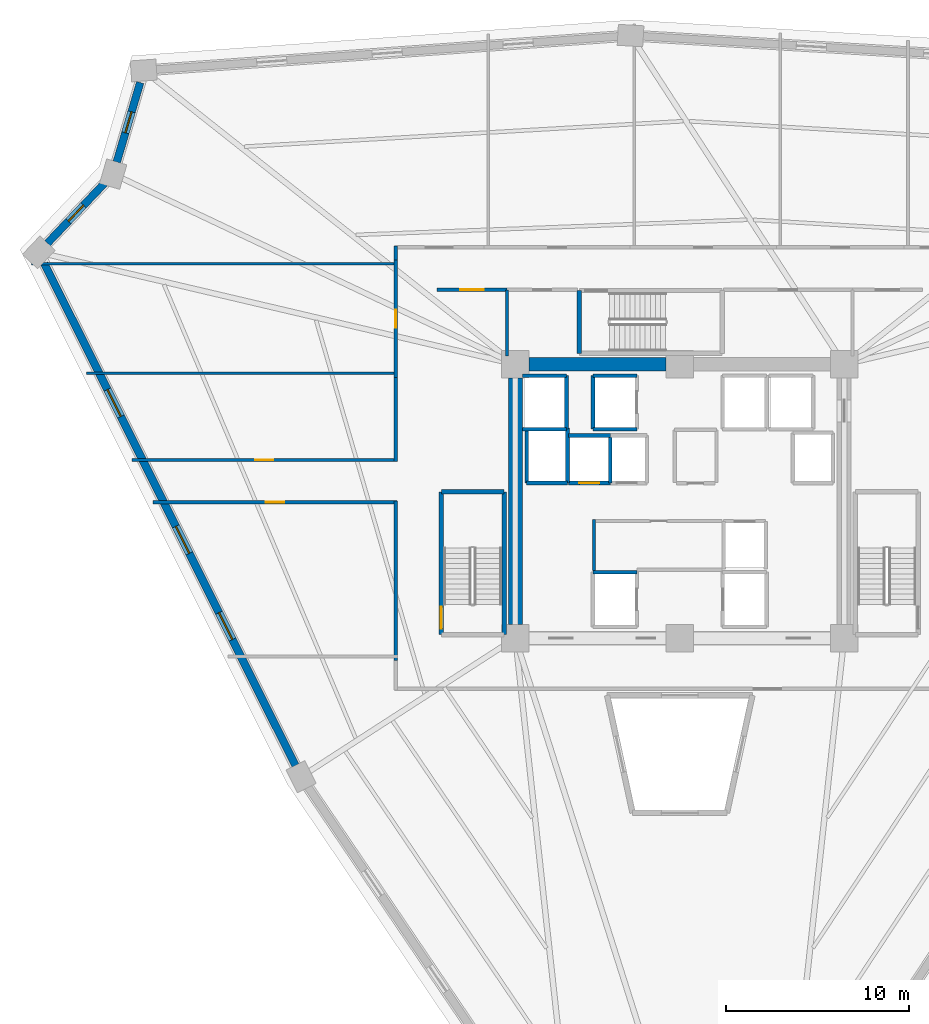
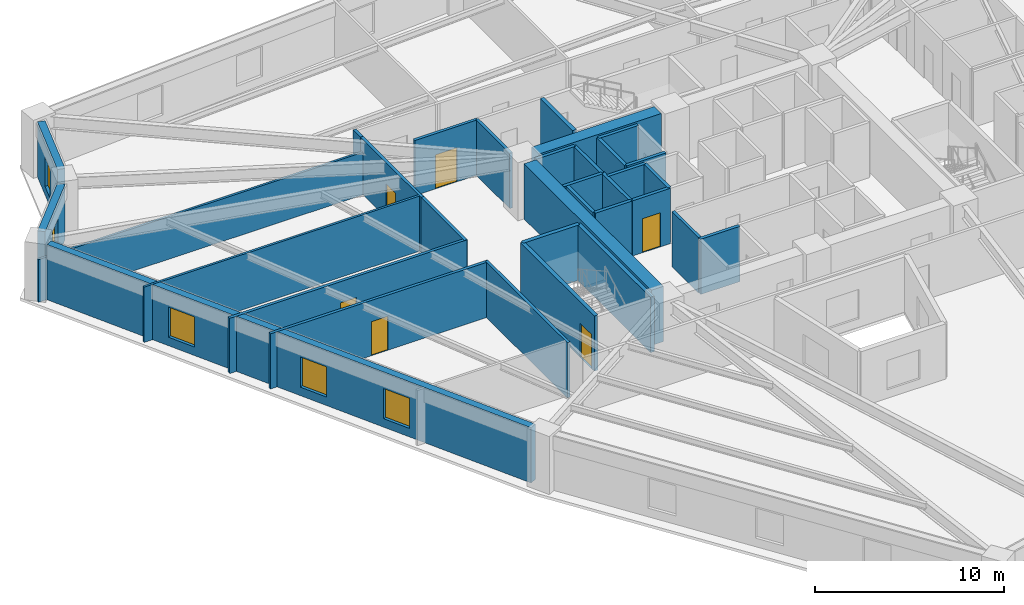
# One storey, part 4 of 8: 33 walls, 6 doors, 5 windows, 11 openings.
"""IFC4 building model written with IfcOpenShell, lengths in metres."""

from ifc_helpers import new_model, si_unit, direction, frame, frame_2d, origin, place, context, subcontext, project, spatial, rectangle, extrude, source, transform, mapped, material, layer, layer_set, type_object, element, fill, save


model = new_model("IFC4")

# Units and contexts
model_context = context("Model", 3, precision=1e-05, world=origin(), true_north=direction((0.0, 1.0)))
body_context = subcontext(model_context, "Body", "Model", "MODEL_VIEW")
ifc_project = project(units=[si_unit("LENGTHUNIT", "METRE"), si_unit("AREAUNIT", "SQUARE_METRE"), si_unit("VOLUMEUNIT", "CUBIC_METRE"), si_unit("PLANEANGLEUNIT", "RADIAN"), si_unit("MASSUNIT", "GRAM", prefix="KILO")], contexts=[model_context])

# Site, building, storey
site_placement = place(None, origin())
site = spatial("IfcSite", under=ifc_project, at=site_placement, CompositionType="ELEMENT")
building_placement = place(site_placement, origin())
building = spatial("IfcBuilding", under=site, at=building_placement, Name="Liaohun Quay Tower", CompositionType="ELEMENT")
storey_placement = place(building_placement, frame((0.0, 0.0, 155.25)))
storey = spatial("IfcBuildingStorey", under=building, at=storey_placement, Name="L40", CompositionType="ELEMENT", Elevation=155.25)

# Walls
ifc_material_1 = material(Name="Concrete C60", Category="concrete")
ifc_layer_1 = layer(ifc_material_1, 0.75, Name="Concrete C60", Category="concrete")
ifc_layer_set_1 = layer_set([ifc_layer_1], Name="Concrete C60")
wall_type_1 = type_object("IfcWallType", Name="WAL-COR-Z2", PredefinedType="SHEAR", material=ifc_layer_set_1)
wall_1_placement = place(storey_placement, frame((51.75, 61.5, 0.0), z_axis=(0.0, 0.0, 1.0), x_axis=(1.0, 0.0, 0.0)))
element("IfcWall", 1, at=wall_1_placement, inside=storey, type_object=wall_type_1, Name="L40 Central Core Shear Wall N-W", PredefinedType="SHEAR", context=body_context, shape_type="SweptSolid", body=[
    extrude(rectangle(XDim=7.5, YDim=0.75, at=frame_2d((3.75, 0.0))), origin(), (0.0, 0.0, 1.0), 3.570068359375),
])
wall_2_placement = place(storey_placement, frame((51.0, 47.25, 0.0), z_axis=(0.0, 0.0, 1.0), x_axis=(0.0, 1.0, 0.0)))
element("IfcWall", 2, at=wall_2_placement, inside=storey, type_object=wall_type_1, Name="L40 Central Core Shear Wall W", PredefinedType="SHEAR", context=body_context, shape_type="SweptSolid", body=[
    extrude(rectangle(XDim=13.5, YDim=0.75, at=frame_2d((6.75, 0.0))), origin(), (0.0, 0.0, 1.0), 3.570068359375),
])

# Wall, opening, window
ifc_material_2 = material(Name="Precast concrete C50 insulated sandwich", Category="concrete")
ifc_layer_2 = layer(ifc_material_2, 0.419921875, Name="Precast concrete C50 insulated sandwich", Category="concrete")
ifc_layer_set_2 = layer_set([ifc_layer_2], Name="Precast concrete C50 insulated sandwich")
wall_type_2 = type_object("IfcWallType", Name="WAL-EXT-Z12", PredefinedType="SOLIDWALL", material=ifc_layer_set_2)
wall_3_placement = place(storey_placement, frame((30.449951171875, 76.929931640625, 0.0), z_axis=(0.0, 0.0, 1.0), x_axis=(-0.282903082649, -0.959148500404, 0.0)))
wall_3 = element("IfcWall", 3, at=wall_3_placement, inside=storey, type_object=wall_type_2, Name="L40 Brutalist Precast Pier Wall 08", PredefinedType="SOLIDWALL", context=body_context, shape_type="SweptSolid", body=[
    extrude(rectangle(XDim=4.538330078125, YDim=0.419921875, at=frame_2d((2.26904296875, 0.0))), origin(), (0.0, 0.0, 1.0), 3.570068359375),
])
shared_shape_1 = source(origin(), body_context, "Body", "SweptSolid", [
    extrude(rectangle(XDim=1.199951171875, YDim=1.89990234375, at=frame_2d((0.60009765625, 0.949951171875))), frame((0.0, 0.219970703125, 0.0), z_axis=(0.0, -1.0, 0.0), x_axis=(1.0, 0.0, 0.0)), (0.0, 0.0, 1.0), 0.43994140625),
])
opening_1_placement = place(wall_3_placement, frame((1.6689453125, 0.0, 0.550048828125)))
opening_1 = element("IfcOpeningElement", 4, at=opening_1_placement, cuts=wall_3, Name="Opening W05", PredefinedType="OPENING", context=body_context, shape_type="MappedRepresentation", body=[
    mapped(shared_shape_1, transform((0.0, 0.0, 0.0), x_axis=(1.0, 0.0, 0.0), y_axis=(0.0, 1.0, 0.0), z_axis=(0.0, 0.0, 1.0), scale=1.0)),
])
ifc_material_3 = material(Name="Triple Low-E corner notch glazing", Category="glass")
window_type_1 = type_object("IfcWindowType", Name="WIN-NOTCH", PartitioningType="SINGLE_PANEL", PredefinedType="WINDOW", material=ifc_material_3)
shared_shape_2 = source(origin(), body_context, "Body", "SweptSolid", [
    extrude(rectangle(XDim=1.199951171875, YDim=1.89990234375, at=frame_2d((0.60009765625, 0.949951171875))), frame((0.0, 0.030029296875, 0.0), z_axis=(0.0, -1.0, 0.0), x_axis=(1.0, 0.0, 0.0)), (0.0, 0.0, 1.0), 0.06005859375),
])
window_1_placement = place(opening_1_placement, origin())
window_1 = element("IfcWindow", 5, at=window_1_placement, inside=storey, type_object=window_type_1, Name="L40 Corner Notch Window W05-08", OverallHeight=1.89990234375, OverallWidth=1.199951171875, PartitioningType="SINGLE_PANEL", PredefinedType="WINDOW", context=body_context, shape_type="MappedRepresentation", body=[
    mapped(shared_shape_2, transform((0.0, 0.0, 0.0), x_axis=(1.0, 0.0, 0.0), y_axis=(0.0, 1.0, 0.0), z_axis=(0.0, 0.0, 1.0), scale=1.0)),
])
fill(opening_1, window_1)

wall_4_placement = place(storey_placement, frame((28.4951171875, 71.4150390625, 0.0), z_axis=(0.0, 0.0, 1.0), x_axis=(-0.68924618139, -0.724527226155, 0.0)))
wall_4 = element("IfcWall", 6, at=wall_4_placement, inside=storey, type_object=wall_type_2, Name="L40 Brutalist Precast Pier Wall 09", PredefinedType="SOLIDWALL", context=body_context, shape_type="SweptSolid", body=[
    extrude(rectangle(XDim=4.532470703125, YDim=0.419921875, at=frame_2d((2.26611328125, 0.0))), origin(), (0.0, 0.0, 1.0), 3.570068359375),
])
opening_2_placement = place(wall_4_placement, frame((1.666015625, 0.0, 0.550048828125)))
opening_2 = element("IfcOpeningElement", 7, at=opening_2_placement, cuts=wall_4, Name="Opening W05", PredefinedType="OPENING", context=body_context, shape_type="MappedRepresentation", body=[
    mapped(shared_shape_1, transform((0.0, 0.0, 0.0), x_axis=(1.0, 0.0, 0.0), y_axis=(0.0, 1.0, 0.0), z_axis=(0.0, 0.0, 1.0), scale=1.0)),
])
window_2_placement = place(opening_2_placement, origin())
window_2 = element("IfcWindow", 8, at=window_2_placement, inside=storey, type_object=window_type_1, Name="L40 Corner Notch Window W05-09", OverallHeight=1.89990234375, OverallWidth=1.199951171875, PartitioningType="SINGLE_PANEL", PredefinedType="WINDOW", context=body_context, shape_type="MappedRepresentation", body=[
    mapped(shared_shape_2, transform((0.0, 0.0, 0.0), x_axis=(1.0, 0.0, 0.0), y_axis=(0.0, 1.0, 0.0), z_axis=(0.0, 0.0, 1.0), scale=1.0)),
])
fill(opening_2, window_2)

# Wall, openings, windows
wall_5_placement = place(storey_placement, frame((25.2041015625, 67.013916015625, 0.0), z_axis=(0.0, 0.0, 1.0), x_axis=(0.447340705753, -0.894363624583, 0.0)))
wall_5 = element("IfcWall", 9, at=wall_5_placement, inside=storey, type_object=wall_type_2, Name="L40 Brutalist Precast Pier Wall 10", PredefinedType="SOLIDWALL", context=body_context, shape_type="SweptSolid", body=[
    extrude(rectangle(XDim=30.730224609375, YDim=0.419921875, at=frame_2d((15.365234375, 0.0))), origin(), (0.0, 0.0, 1.0), 3.570068359375),
])
shared_shape_3 = source(origin(), body_context, "Body", "SweptSolid", [
    extrude(rectangle(XDim=1.64990234375, YDim=1.949951171875, at=frame_2d((0.824951171875, 0.97509765625))), frame((0.0, 0.219970703125, 0.0), z_axis=(0.0, -1.0, 0.0), x_axis=(1.0, 0.0, 0.0)), (0.0, 0.0, 1.0), 0.43994140625),
])
opening_3_placement = place(wall_5_placement, frame((7.7080078125, 0.0, 0.550048828125)))
opening_3 = element("IfcOpeningElement", 10, at=opening_3_placement, cuts=wall_5, Name="Opening W02", PredefinedType="OPENING", context=body_context, shape_type="MappedRepresentation", body=[
    mapped(shared_shape_3, transform((0.0, 0.0, 0.0), x_axis=(1.0, 0.0, 0.0), y_axis=(0.0, 1.0, 0.0), z_axis=(0.0, 0.0, 1.0), scale=1.0)),
])
opening_4_placement = place(wall_5_placement, frame((16.090087890625, 0.0, 0.550048828125)))
opening_4 = element("IfcOpeningElement", 11, at=opening_4_placement, cuts=wall_5, Name="Opening W02", PredefinedType="OPENING", context=body_context, shape_type="MappedRepresentation", body=[
    mapped(shared_shape_3, transform((0.0, 0.0, 0.0), x_axis=(1.0, 0.0, 0.0), y_axis=(0.0, 1.0, 0.0), z_axis=(0.0, 0.0, 1.0), scale=1.0)),
])
opening_5_placement = place(wall_5_placement, frame((21.373046875, 0.0, 0.550048828125)))
opening_5 = element("IfcOpeningElement", 12, at=opening_5_placement, cuts=wall_5, Name="Opening W02", PredefinedType="OPENING", context=body_context, shape_type="MappedRepresentation", body=[
    mapped(shared_shape_3, transform((0.0, 0.0, 0.0), x_axis=(1.0, 0.0, 0.0), y_axis=(0.0, 1.0, 0.0), z_axis=(0.0, 0.0, 1.0), scale=1.0)),
])
ifc_material_4 = material(Name="Triple Low-E argon glazing in thermally broken aluminium", Category="aluminium")
window_type_2 = type_object("IfcWindowType", Name="WIN-PUN-Z2", PartitioningType="DOUBLE_PANEL_VERTICAL", PredefinedType="WINDOW", material=ifc_material_4)
shared_shape_4 = source(origin(), body_context, "Body", "SweptSolid", [
    extrude(rectangle(XDim=1.64990234375, YDim=1.949951171875, at=frame_2d((0.824951171875, 0.97509765625))), frame((0.0, 0.030029296875, 0.0), z_axis=(0.0, -1.0, 0.0), x_axis=(1.0, 0.0, 0.0)), (0.0, 0.0, 1.0), 0.06005859375),
])
window_3_placement = place(opening_3_placement, origin())
window_3 = element("IfcWindow", 13, at=window_3_placement, inside=storey, type_object=window_type_2, Name="L40 Recessed Cold-Climate Punched Window 10-1", OverallHeight=1.949951171875, OverallWidth=1.64990234375, PartitioningType="DOUBLE_PANEL_VERTICAL", PredefinedType="WINDOW", context=body_context, shape_type="MappedRepresentation", body=[
    mapped(shared_shape_4, transform((0.0, 0.0, 0.0), x_axis=(1.0, 0.0, 0.0), y_axis=(0.0, 1.0, 0.0), z_axis=(0.0, 0.0, 1.0), scale=1.0)),
])
fill(opening_3, window_3)
window_4_placement = place(opening_4_placement, origin())
window_4 = element("IfcWindow", 14, at=window_4_placement, inside=storey, type_object=window_type_2, Name="L40 Recessed Cold-Climate Punched Window 10-2", OverallHeight=1.949951171875, OverallWidth=1.64990234375, PartitioningType="DOUBLE_PANEL_VERTICAL", PredefinedType="WINDOW", context=body_context, shape_type="MappedRepresentation", body=[
    mapped(shared_shape_4, transform((0.0, 0.0, 0.0), x_axis=(1.0, 0.0, 0.0), y_axis=(0.0, 1.0, 0.0), z_axis=(0.0, 0.0, 1.0), scale=1.0)),
])
fill(opening_4, window_4)
window_5_placement = place(opening_5_placement, origin())
window_5 = element("IfcWindow", 15, at=window_5_placement, inside=storey, type_object=window_type_2, Name="L40 Recessed Cold-Climate Punched Window 10-3", OverallHeight=1.949951171875, OverallWidth=1.64990234375, PartitioningType="DOUBLE_PANEL_VERTICAL", PredefinedType="WINDOW", context=body_context, shape_type="MappedRepresentation", body=[
    mapped(shared_shape_4, transform((0.0, 0.0, 0.0), x_axis=(1.0, 0.0, 0.0), y_axis=(0.0, 1.0, 0.0), z_axis=(0.0, 0.0, 1.0), scale=1.0)),
])
fill(opening_5, window_5)

# Wall, opening, door
ifc_material_5 = material(Name="Autoclaved aerated concrete blockwork", Category="masonry")
ifc_layer_3 = layer(ifc_material_5, 0.179931640625, Name="Autoclaved aerated concrete blockwork", Category="masonry")
ifc_layer_set_3 = layer_set([ifc_layer_3], Name="Autoclaved aerated concrete blockwork")
wall_type_3 = type_object("IfcWallType", Name="WAL-PRT-COR", PredefinedType="PARTITIONING", material=ifc_layer_set_3)
wall_6_placement = place(storey_placement, frame((46.699951171875, 65.580078125, 0.0), z_axis=(0.0, 0.0, 1.0), x_axis=(1.0, 0.0, 0.0)))
wall_6 = element("IfcWall", 16, at=wall_6_placement, inside=storey, type_object=wall_type_3, Name="L40 Interior Partition Wall 008", PredefinedType="PARTITIONING", context=body_context, shape_type="SweptSolid", body=[
    extrude(rectangle(XDim=3.840087890625, YDim=0.179931640625, at=frame_2d((1.919921875, 0.0))), origin(), (0.0, 0.0, 1.0), 3.570068359375),
])
shared_shape_5 = source(origin(), body_context, "Body", "SweptSolid", [
    extrude(rectangle(XDim=1.300048828125, YDim=2.199951171875, at=frame_2d((0.64990234375, 1.10009765625))), frame((0.0, 0.099853515625, 0.0), z_axis=(0.0, -1.0, 0.0), x_axis=(1.0, 0.0, 0.0)), (0.0, 0.0, 1.0), 0.199951171875),
])
opening_6_placement = place(wall_6_placement, frame((1.27001953125, 0.0, 0.0)))
opening_6 = element("IfcOpeningElement", 17, at=opening_6_placement, cuts=wall_6, Name="Opening FD1", PredefinedType="OPENING", context=body_context, shape_type="MappedRepresentation", body=[
    mapped(shared_shape_5, transform((0.0, 0.0, 0.0), x_axis=(1.0, 0.0, 0.0), y_axis=(0.0, 1.0, 0.0), z_axis=(0.0, 0.0, 1.0), scale=1.0)),
])
ifc_material_6 = material(Name="Galvanised steel smokeproof fire door", Category="steel")
door_type_1 = type_object("IfcDoorType", Name="DOR-FFL-1300", OperationType="NOTDEFINED", PredefinedType="DOOR", material=ifc_material_6)
shared_shape_6 = source(origin(), body_context, "Body", "SweptSolid", [
    extrude(rectangle(XDim=1.300048828125, YDim=2.199951171875, at=frame_2d((0.64990234375, 1.10009765625))), frame((0.0, 0.02490234375, 0.0), z_axis=(0.0, -1.0, 0.0), x_axis=(1.0, 0.0, 0.0)), (0.0, 0.0, 1.0), 0.050048828125),
])
door_1_placement = place(opening_6_placement, origin())
door_1 = element("IfcDoor", 18, at=door_1_placement, inside=storey, type_object=door_type_1, Name="L40 West Core Vestibule Door", OperationType="SINGLE_SWING_RIGHT", OverallHeight=2.199951171875, OverallWidth=1.300048828125, PredefinedType="DOOR", context=body_context, shape_type="MappedRepresentation", body=[
    mapped(shared_shape_6, transform((0.0, 0.0, 0.0), x_axis=(1.0, 0.0, 0.0), y_axis=(0.0, 1.0, 0.0), z_axis=(0.0, 0.0, 1.0), scale=1.0)),
])
fill(opening_6, door_1)

wall_7_placement = place(storey_placement, frame((44.43994140625, 60.784912109375, 0.0), z_axis=(0.0, 0.0, 1.0), x_axis=(0.0, 1.0, 0.0)))
wall_7 = element("IfcWall", 19, at=wall_7_placement, inside=storey, type_object=wall_type_3, Name="L40 Interior Partition Wall 016", PredefinedType="PARTITIONING", context=body_context, shape_type="SweptSolid", body=[
    extrude(rectangle(XDim=6.43017578125, YDim=0.179931640625, at=frame_2d((3.215087890625, 0.0))), origin(), (0.0, 0.0, 1.0), 3.570068359375),
])
shared_shape_7 = source(origin(), body_context, "Body", "SweptSolid", [
    extrude(rectangle(XDim=1.0, YDim=2.199951171875, at=frame_2d((0.5, 1.10009765625))), frame((0.0, 0.099853515625, 0.0), z_axis=(0.0, -1.0, 0.0), x_axis=(1.0, 0.0, 0.0)), (0.0, 0.0, 1.0), 0.199951171875),
])
opening_7_placement = place(wall_7_placement, frame((2.715087890625, 0.0, 0.0)))
opening_7 = element("IfcOpeningElement", 20, at=opening_7_placement, cuts=wall_7, Name="Opening OD1", PredefinedType="OPENING", context=body_context, shape_type="MappedRepresentation", body=[
    mapped(shared_shape_7, transform((0.0, 0.0, 0.0), x_axis=(1.0, 0.0, 0.0), y_axis=(0.0, 1.0, 0.0), z_axis=(0.0, 0.0, 1.0), scale=1.0)),
])
ifc_material_7 = material(Name="Solid-core oak veneer timber leaf in steel frame", Category="steel")
door_type_2 = type_object("IfcDoorType", Name="DOR-OFF-1000", OperationType="NOTDEFINED", PredefinedType="DOOR", material=ifc_material_7)
shared_shape_8 = source(origin(), body_context, "Body", "SweptSolid", [
    extrude(rectangle(XDim=1.0, YDim=2.199951171875, at=frame_2d((0.5, 1.10009765625))), frame((0.0, 0.02490234375, 0.0), z_axis=(0.0, -1.0, 0.0), x_axis=(1.0, 0.0, 0.0)), (0.0, 0.0, 1.0), 0.050048828125),
])
door_2_placement = place(opening_7_placement, origin())
door_2 = element("IfcDoor", 21, at=door_2_placement, inside=storey, type_object=door_type_2, Name="L40 Technical Reference Library 07 Door", OperationType="SINGLE_SWING_RIGHT", OverallHeight=2.199951171875, OverallWidth=1.0, PredefinedType="DOOR", context=body_context, shape_type="MappedRepresentation", body=[
    mapped(shared_shape_8, transform((0.0, 0.0, 0.0), x_axis=(1.0, 0.0, 0.0), y_axis=(0.0, 1.0, 0.0), z_axis=(0.0, 0.0, 1.0), scale=1.0)),
])
fill(opening_7, door_2)

wall_8_placement = place(storey_placement, frame((29.988037109375, 56.260009765625, 0.0), z_axis=(0.0, 0.0, 1.0), x_axis=(1.0, 0.0, 0.0)))
wall_8 = element("IfcWall", 22, at=wall_8_placement, inside=storey, type_object=wall_type_3, Name="L40 Interior Partition Wall 017", PredefinedType="PARTITIONING", context=body_context, shape_type="SweptSolid", body=[
    extrude(rectangle(XDim=14.52197265625, YDim=0.179931640625, at=frame_2d((7.260986328125, 0.0))), origin(), (0.0, 0.0, 1.0), 3.570068359375),
])
opening_8_placement = place(wall_8_placement, frame((6.760986328125, 0.0, 0.0)))
opening_8 = element("IfcOpeningElement", 23, at=opening_8_placement, cuts=wall_8, Name="Opening OD1", PredefinedType="OPENING", context=body_context, shape_type="MappedRepresentation", body=[
    mapped(shared_shape_7, transform((0.0, 0.0, 0.0), x_axis=(1.0, 0.0, 0.0), y_axis=(0.0, 1.0, 0.0), z_axis=(0.0, 0.0, 1.0), scale=1.0)),
])
door_3_placement = place(opening_8_placement, origin())
door_3 = element("IfcDoor", 24, at=door_3_placement, inside=storey, type_object=door_type_2, Name="L40 Client Collaboration Lounge 08 Door", OperationType="SINGLE_SWING_LEFT", OverallHeight=2.199951171875, OverallWidth=1.0, PredefinedType="DOOR", context=body_context, shape_type="MappedRepresentation", body=[
    mapped(shared_shape_8, transform((0.0, 0.0, 0.0), x_axis=(1.0, 0.0, 0.0), y_axis=(0.0, 1.0, 0.0), z_axis=(0.0, 0.0, 1.0), scale=1.0)),
])
fill(opening_8, door_3)

wall_9_placement = place(storey_placement, frame((44.510009765625, 53.93994140625, 0.0), z_axis=(0.0, 0.0, 1.0), x_axis=(-1.0, 0.0, 0.0)))
wall_9 = element("IfcWall", 25, at=wall_9_placement, inside=storey, type_object=wall_type_3, Name="L40 Interior Partition Wall 018", PredefinedType="PARTITIONING", context=body_context, shape_type="SweptSolid", body=[
    extrude(rectangle(XDim=13.362060546875, YDim=0.179931640625, at=frame_2d((6.68115234375, 0.0))), origin(), (0.0, 0.0, 1.0), 3.570068359375),
])
opening_9_placement = place(wall_9_placement, frame((6.180908203125, 0.0, 0.0)))
opening_9 = element("IfcOpeningElement", 26, at=opening_9_placement, cuts=wall_9, Name="Opening OD1", PredefinedType="OPENING", context=body_context, shape_type="MappedRepresentation", body=[
    mapped(shared_shape_7, transform((0.0, 0.0, 0.0), x_axis=(1.0, 0.0, 0.0), y_axis=(0.0, 1.0, 0.0), z_axis=(0.0, 0.0, 1.0), scale=1.0)),
])
door_4_placement = place(opening_9_placement, origin())
door_4 = element("IfcDoor", 27, at=door_4_placement, inside=storey, type_object=door_type_2, Name="L40 Records Archive Store 09 Door", OperationType="SINGLE_SWING_RIGHT", OverallHeight=2.199951171875, OverallWidth=1.0, PredefinedType="DOOR", context=body_context, shape_type="MappedRepresentation", body=[
    mapped(shared_shape_8, transform((0.0, 0.0, 0.0), x_axis=(1.0, 0.0, 0.0), y_axis=(0.0, 1.0, 0.0), z_axis=(0.0, 0.0, 1.0), scale=1.0)),
])
fill(opening_9, door_4)

# Walls
wall_10_placement = place(storey_placement, frame((50.5400390625, 61.949951171875, 0.0), z_axis=(0.0, 0.0, 1.0), x_axis=(0.0, 1.0, 0.0)))
element("IfcWall", 28, at=wall_10_placement, inside=storey, type_object=wall_type_3, Name="L40 Interior Partition Wall 030", PredefinedType="PARTITIONING", context=body_context, shape_type="SweptSolid", body=[
    extrude(rectangle(XDim=3.630126953125, YDim=0.179931640625, at=frame_2d((1.81494140625, 0.0))), origin(), (0.0, 0.0, 1.0), 3.570068359375),
])
wall_11_placement = place(storey_placement, frame((44.43994140625, 67.215087890625, 0.0), z_axis=(0.0, 0.0, 1.0), x_axis=(0.0, 1.0, 0.0)))
element("IfcWall", 29, at=wall_11_placement, inside=storey, type_object=wall_type_3, Name="L40 Interior Partition Wall 034", PredefinedType="PARTITIONING", context=body_context, shape_type="SweptSolid", body=[
    extrude(rectangle(XDim=0.764892578125, YDim=0.179931640625, at=frame_2d((0.38232421875, 0.0))), origin(), (0.0, 0.0, 1.0), 3.570068359375),
])
wall_12_placement = place(storey_placement, frame((44.43994140625, 56.18994140625, 0.0), z_axis=(0.0, 0.0, 1.0), x_axis=(0.0, 1.0, 0.0)))
element("IfcWall", 30, at=wall_12_placement, inside=storey, type_object=wall_type_3, Name="L40 Interior Partition Wall 035", PredefinedType="PARTITIONING", context=body_context, shape_type="SweptSolid", body=[
    extrude(rectangle(XDim=4.594970703125, YDim=0.179931640625, at=frame_2d((2.29736328125, 0.0))), origin(), (0.0, 0.0, 1.0), 3.570068359375),
])
wall_13_placement = place(storey_placement, frame((44.43994140625, 45.284912109375, 0.0), z_axis=(0.0, 0.0, 1.0), x_axis=(0.0, 1.0, 0.0)))
element("IfcWall", 31, at=wall_13_placement, inside=storey, type_object=wall_type_3, Name="L40 Interior Partition Wall 036", PredefinedType="PARTITIONING", context=body_context, shape_type="SweptSolid", body=[
    extrude(rectangle(XDim=8.72509765625, YDim=0.179931640625, at=frame_2d((4.362548828125, 0.0))), origin(), (0.0, 0.0, 1.0), 3.570068359375),
])
wall_14_placement = place(storey_placement, frame((55.300048828125, 50.219970703125, 0.0), z_axis=(0.0, 0.0, 1.0), x_axis=(0.0, 1.0, 0.0)))
element("IfcWall", 32, at=wall_14_placement, inside=storey, type_object=wall_type_3, Name="L40 Interior Partition Wall 050", PredefinedType="PARTITIONING", context=body_context, shape_type="SweptSolid", body=[
    extrude(rectangle(XDim=2.7900390625, YDim=0.179931640625, at=frame_2d((1.39501953125, 0.0))), origin(), (0.0, 0.0, 1.0), 3.570068359375),
])
ifc_material_8 = material(Name="Gypsum board on twin steel studs", Category="steel")
ifc_layer_4 = layer(ifc_material_8, 0.139892578125, Name="Gypsum board on twin steel studs", Category="steel")
ifc_layer_set_4 = layer_set([ifc_layer_4], Name="Gypsum board on twin steel studs")
wall_type_4 = type_object("IfcWallType", Name="WAL-PRT-OFF", PredefinedType="PARTITIONING", material=ifc_layer_set_4)
wall_15_placement = place(storey_placement, frame((44.5400390625, 61.0, 0.0), z_axis=(0.0, 0.0, 1.0), x_axis=(-1.0, 0.0, 0.0)))
element("IfcWall", 33, at=wall_15_placement, inside=storey, type_object=wall_type_4, Name="L40 Interior Partition Wall 041", PredefinedType="PARTITIONING", context=body_context, shape_type="SweptSolid", body=[
    extrude(rectangle(XDim=17.031982421875, YDim=0.139892578125, at=frame_2d((8.51611328125, 0.0))), origin(), (0.0, 0.0, 1.0), 3.570068359375),
])
wall_16_placement = place(storey_placement, frame((44.5400390625, 67.0, 0.0), z_axis=(0.0, 0.0, 1.0), x_axis=(-1.0, 0.0, 0.0)))
element("IfcWall", 34, at=wall_16_placement, inside=storey, type_object=wall_type_4, Name="L40 Interior Partition Wall 042", PredefinedType="PARTITIONING", context=body_context, shape_type="SweptSolid", body=[
    extrude(rectangle(XDim=20.032958984375, YDim=0.139892578125, at=frame_2d((10.0166015625, 0.0))), origin(), (0.0, 0.0, 1.0), 2.7548828125),
])
ifc_material_9 = material(Name="Concrete C50", Category="concrete")
ifc_layer_5 = layer(ifc_material_9, 0.239990234375, Name="Concrete C50", Category="concrete")
ifc_layer_set_5 = layer_set([ifc_layer_5], Name="Concrete C50")
wall_type_5 = type_object("IfcWallType", Name="WAL-SHF-200", PredefinedType="SOLIDWALL", material=ifc_layer_set_5)
wall_17_placement = place(storey_placement, frame((50.3798828125, 46.699951171875, 0.0), z_axis=(0.0, 0.0, 1.0), x_axis=(0.0, 1.0, 0.0)))
element("IfcWall", 35, at=wall_17_placement, inside=storey, type_object=wall_type_5, Name="L40 Stairwell ST-1 Structural Core Wall E", PredefinedType="SOLIDWALL", context=body_context, shape_type="SweptSolid", body=[
    extrude(rectangle(XDim=7.820068359375, YDim=0.239990234375, at=frame_2d((3.91015625, 0.0))), origin(), (0.0, 0.0, 1.0), 3.570068359375),
])
wall_18_placement = place(storey_placement, frame((50.3798828125, 54.52001953125, 0.0), z_axis=(0.0, 0.0, 1.0), x_axis=(-1.0, 0.0, 0.0)))
element("IfcWall", 36, at=wall_18_placement, inside=storey, type_object=wall_type_5, Name="L40 Stairwell ST-1 Structural Core Wall N", PredefinedType="SOLIDWALL", context=body_context, shape_type="SweptSolid", body=[
    extrude(rectangle(XDim=3.43994140625, YDim=0.239990234375, at=frame_2d((1.719970703125, 0.0))), origin(), (0.0, 0.0, 1.0), 3.570068359375),
])

# Wall, opening, door
wall_19_placement = place(storey_placement, frame((46.93994140625, 54.52001953125, 0.0), z_axis=(0.0, 0.0, 1.0), x_axis=(0.0, -1.0, 0.0)))
wall_19 = element("IfcWall", 37, at=wall_19_placement, inside=storey, type_object=wall_type_5, Name="L40 Stairwell ST-1 Structural Core Wall W", PredefinedType="SOLIDWALL", context=body_context, shape_type="SweptSolid", body=[
    extrude(rectangle(XDim=7.820068359375, YDim=0.239990234375, at=frame_2d((3.91015625, 0.0))), origin(), (0.0, 0.0, 1.0), 3.570068359375),
])
shared_shape_9 = source(origin(), body_context, "Body", "SweptSolid", [
    extrude(rectangle(XDim=1.199951171875, YDim=2.199951171875, at=frame_2d((0.60009765625, 1.10009765625))), frame((0.0, 0.1298828125, 0.0), z_axis=(0.0, -1.0, 0.0), x_axis=(1.0, 0.0, 0.0)), (0.0, 0.0, 1.0), 0.260009765625),
])
opening_10_placement = place(wall_19_placement, frame((6.300048828125, 0.0, 0.0)))
opening_10 = element("IfcOpeningElement", 38, at=opening_10_placement, cuts=wall_19, Name="Opening SD1", PredefinedType="OPENING", context=body_context, shape_type="MappedRepresentation", body=[
    mapped(shared_shape_9, transform((0.0, 0.0, 0.0), x_axis=(1.0, 0.0, 0.0), y_axis=(0.0, 1.0, 0.0), z_axis=(0.0, 0.0, 1.0), scale=1.0)),
])
ifc_material_10 = material(Name="Galvanised steel fire door", Category="steel")
door_type_3 = type_object("IfcDoorType", Name="DOR-STR-1200", OperationType="NOTDEFINED", PredefinedType="DOOR", material=ifc_material_10)
shared_shape_10 = source(origin(), body_context, "Body", "SweptSolid", [
    extrude(rectangle(XDim=1.199951171875, YDim=2.199951171875, at=frame_2d((0.60009765625, 1.10009765625))), frame((0.0, 0.02490234375, 0.0), z_axis=(0.0, -1.0, 0.0), x_axis=(1.0, 0.0, 0.0)), (0.0, 0.0, 1.0), 0.050048828125),
])
door_5_placement = place(opening_10_placement, origin())
door_5 = element("IfcDoor", 39, at=door_5_placement, inside=storey, type_object=door_type_3, Name="L40 Protected Stair ST-1 Fire Door", OperationType="SINGLE_SWING_LEFT", OverallHeight=2.199951171875, OverallWidth=1.199951171875, PredefinedType="DOOR", context=body_context, shape_type="MappedRepresentation", body=[
    mapped(shared_shape_10, transform((0.0, 0.0, 0.0), x_axis=(1.0, 0.0, 0.0), y_axis=(0.0, 1.0, 0.0), z_axis=(0.0, 0.0, 1.0), scale=1.0)),
])
fill(opening_10, door_5)

# Walls
wall_20_placement = place(storey_placement, frame((54.5, 65.5400390625, 0.0), z_axis=(0.0, 0.0, 1.0), x_axis=(0.0, -1.0, 0.0)))
element("IfcWall", 40, at=wall_20_placement, inside=storey, type_object=wall_type_5, Name="L40 Stairwell ST-3 Structural Core Wall W", PredefinedType="SOLIDWALL", context=body_context, shape_type="SweptSolid", body=[
    extrude(rectangle(XDim=3.43994140625, YDim=0.239990234375, at=frame_2d((1.719970703125, 0.0))), origin(), (0.0, 0.0, 1.0), 3.570068359375),
])
for number, where, z_axis, x_axis, name in (
    (41, (57.64990234375, 50.1201171875, 0.0), (0.0, 0.0, 1.0), (-1.0, 0.0, 0.0), "L40 Lift FF-01 Hoistway Wall N"),
    (42, (55.25, 57.949951171875, 0.0), (0.0, 0.0, 1.0), (1.0, 0.0, 0.0), "L40 Lift FF-03 Hoistway Wall S"),
    (43, (57.64990234375, 60.8798828125, 0.0), (0.0, 0.0, 1.0), (-1.0, 0.0, 0.0), "L40 Lift FF-03 Hoistway Wall N"),
):
    element("IfcWall", number, at=place(storey_placement, frame(where, z_axis=z_axis, x_axis=x_axis)), inside=storey, type_object=wall_type_5, Name=name, PredefinedType="SOLIDWALL", context=body_context, shape_type="SweptSolid", body=[
        extrude(rectangle(XDim=2.39990234375, YDim=0.199951171875, at=frame_2d((1.199951171875, 0.0))), origin(), (0.0, 0.0, 1.0), 3.570068359375),
    ])
wall_21_placement = place(storey_placement, frame((55.25, 60.8798828125, 0.0), z_axis=(0.0, 0.0, 1.0), x_axis=(0.0, -1.0, 0.0)))
element("IfcWall", 44, at=wall_21_placement, inside=storey, type_object=wall_type_5, Name="L40 Lift FF-03 Hoistway Wall W", PredefinedType="SOLIDWALL", context=body_context, shape_type="SweptSolid", body=[
    extrude(rectangle(XDim=2.929931640625, YDim=0.199951171875, at=frame_2d((1.46484375, 0.0))), origin(), (0.0, 0.0, 1.0), 3.570068359375),
])
wall_22_placement = place(storey_placement, frame((51.39990234375, 57.949951171875, 0.0), z_axis=(0.0, 0.0, 1.0), x_axis=(1.0, 0.0, 0.0)))
element("IfcWall", 45, at=wall_22_placement, inside=storey, type_object=wall_type_5, Name="L40 Lift SH-01 Hoistway Wall S", PredefinedType="SOLIDWALL", context=body_context, shape_type="SweptSolid", body=[
    extrude(rectangle(XDim=2.400146484375, YDim=0.199951171875, at=frame_2d((1.2001953125, 0.0))), origin(), (0.0, 0.0, 1.0), 3.570068359375),
])
wall_23_placement = place(storey_placement, frame((53.800048828125, 57.949951171875, 0.0), z_axis=(0.0, 0.0, 1.0), x_axis=(0.0, 1.0, 0.0)))
element("IfcWall", 46, at=wall_23_placement, inside=storey, type_object=wall_type_5, Name="L40 Lift SH-01 Hoistway Wall E", PredefinedType="SOLIDWALL", context=body_context, shape_type="SweptSolid", body=[
    extrude(rectangle(XDim=2.929931640625, YDim=0.199951171875, at=frame_2d((1.46484375, 0.0))), origin(), (0.0, 0.0, 1.0), 3.570068359375),
])
wall_24_placement = place(storey_placement, frame((53.800048828125, 60.8798828125, 0.0), z_axis=(0.0, 0.0, 1.0), x_axis=(-1.0, 0.0, 0.0)))
element("IfcWall", 47, at=wall_24_placement, inside=storey, type_object=wall_type_5, Name="L40 Lift SH-01 Hoistway Wall N", PredefinedType="SOLIDWALL", context=body_context, shape_type="SweptSolid", body=[
    extrude(rectangle(XDim=2.400146484375, YDim=0.199951171875, at=frame_2d((1.2001953125, 0.0))), origin(), (0.0, 0.0, 1.0), 3.570068359375),
])
wall_25_placement = place(storey_placement, frame((51.6201171875, 55.0, 0.0), z_axis=(0.0, 0.0, 1.0), x_axis=(1.0, 0.0, 0.0)))
element("IfcWall", 48, at=wall_25_placement, inside=storey, type_object=wall_type_5, Name="L40 Lift SH-02 Hoistway Wall S", PredefinedType="SOLIDWALL", context=body_context, shape_type="SweptSolid", body=[
    extrude(rectangle(XDim=2.22998046875, YDim=0.199951171875, at=frame_2d((1.114990234375, 0.0))), origin(), (0.0, 0.0, 1.0), 3.570068359375),
])
for number, where, z_axis, x_axis, name in (
    (49, (53.85009765625, 55.0, 0.0), (0.0, 0.0, 1.0), (0.0, 1.0, 0.0), "L40 Lift SH-02 Hoistway Wall E"),
    (50, (51.6201171875, 58.0, 0.0), (0.0, 0.0, 1.0), (0.0, -1.0, 0.0), "L40 Lift SH-02 Hoistway Wall W"),
):
    element("IfcWall", number, at=place(storey_placement, frame(where, z_axis=z_axis, x_axis=x_axis)), inside=storey, type_object=wall_type_5, Name=name, PredefinedType="SOLIDWALL", context=body_context, shape_type="SweptSolid", body=[
        extrude(rectangle(XDim=3.0, YDim=0.199951171875, at=frame_2d((1.5, 0.0))), origin(), (0.0, 0.0, 1.0), 3.570068359375),
    ])

# Wall, opening, door
wall_26_placement = place(storey_placement, frame((53.89990234375, 55.0, 0.0), z_axis=(0.0, 0.0, 1.0), x_axis=(1.0, 0.0, 0.0)))
wall_26 = element("IfcWall", 51, at=wall_26_placement, inside=storey, type_object=wall_type_5, Name="L40 Lift PL-2B Hoistway Wall S", PredefinedType="SOLIDWALL", context=body_context, shape_type="SweptSolid", body=[
    extrude(rectangle(XDim=2.300048828125, YDim=0.199951171875, at=frame_2d((1.14990234375, 0.0))), origin(), (0.0, 0.0, 1.0), 3.570068359375),
])
shared_shape_11 = source(origin(), body_context, "Body", "SweptSolid", [
    extrude(rectangle(XDim=1.10009765625, YDim=2.199951171875, at=frame_2d((0.550048828125, 1.10009765625))), frame((0.0, 0.10986328125, 0.0), z_axis=(0.0, -1.0, 0.0), x_axis=(1.0, 0.0, 0.0)), (0.0, 0.0, 1.0), 0.219970703125),
])
opening_11_placement = place(wall_26_placement, frame((0.60009765625, 0.0, 0.0)))
opening_11 = element("IfcOpeningElement", 52, at=opening_11_placement, cuts=wall_26, Name="Opening LD1", PredefinedType="OPENING", context=body_context, shape_type="MappedRepresentation", body=[
    mapped(shared_shape_11, transform((0.0, 0.0, 0.0), x_axis=(1.0, 0.0, 0.0), y_axis=(0.0, 1.0, 0.0), z_axis=(0.0, 0.0, 1.0), scale=1.0)),
])
ifc_material_11 = material(Name="Brushed stainless steel landing door", Category="steel")
door_type_4 = type_object("IfcDoorType", Name="DOR-LFT-1100", OperationType="SLIDING_TO_LEFT", PredefinedType="DOOR", material=ifc_material_11)
shared_shape_12 = source(origin(), body_context, "Body", "SweptSolid", [
    extrude(rectangle(XDim=1.10009765625, YDim=2.199951171875, at=frame_2d((0.550048828125, 1.10009765625))), frame((0.0, 0.02490234375, 0.0), z_axis=(0.0, -1.0, 0.0), x_axis=(1.0, 0.0, 0.0)), (0.0, 0.0, 1.0), 0.050048828125),
])
door_6_placement = place(opening_11_placement, origin())
door_6 = element("IfcDoor", 53, at=door_6_placement, inside=storey, type_object=door_type_4, Name="L40 Lift PL-2B Sliding Landing Door", OperationType="SLIDING_TO_LEFT", OverallHeight=2.199951171875, OverallWidth=1.10009765625, PredefinedType="DOOR", context=body_context, shape_type="MappedRepresentation", body=[
    mapped(shared_shape_12, transform((0.0, 0.0, 0.0), x_axis=(1.0, 0.0, 0.0), y_axis=(0.0, 1.0, 0.0), z_axis=(0.0, 0.0, 1.0), scale=1.0)),
])
fill(opening_11, door_6)

# Walls
wall_27_placement = place(storey_placement, frame((56.199951171875, 55.0, 0.0), z_axis=(0.0, 0.0, 1.0), x_axis=(0.0, 1.0, 0.0)))
element("IfcWall", 54, at=wall_27_placement, inside=storey, type_object=wall_type_5, Name="L40 Lift PL-2B Hoistway Wall E", PredefinedType="SOLIDWALL", context=body_context, shape_type="SweptSolid", body=[
    extrude(rectangle(XDim=2.60009765625, YDim=0.199951171875, at=frame_2d((1.300048828125, 0.0))), origin(), (0.0, 0.0, 1.0), 3.570068359375),
])
wall_28_placement = place(storey_placement, frame((56.199951171875, 57.60009765625, 0.0), z_axis=(0.0, 0.0, 1.0), x_axis=(-1.0, 0.0, 0.0)))
element("IfcWall", 55, at=wall_28_placement, inside=storey, type_object=wall_type_5, Name="L40 Lift PL-2B Hoistway Wall N", PredefinedType="SOLIDWALL", context=body_context, shape_type="SweptSolid", body=[
    extrude(rectangle(XDim=2.300048828125, YDim=0.199951171875, at=frame_2d((1.14990234375, 0.0))), origin(), (0.0, 0.0, 1.0), 3.570068359375),
])

save(model, "model.ifc")
